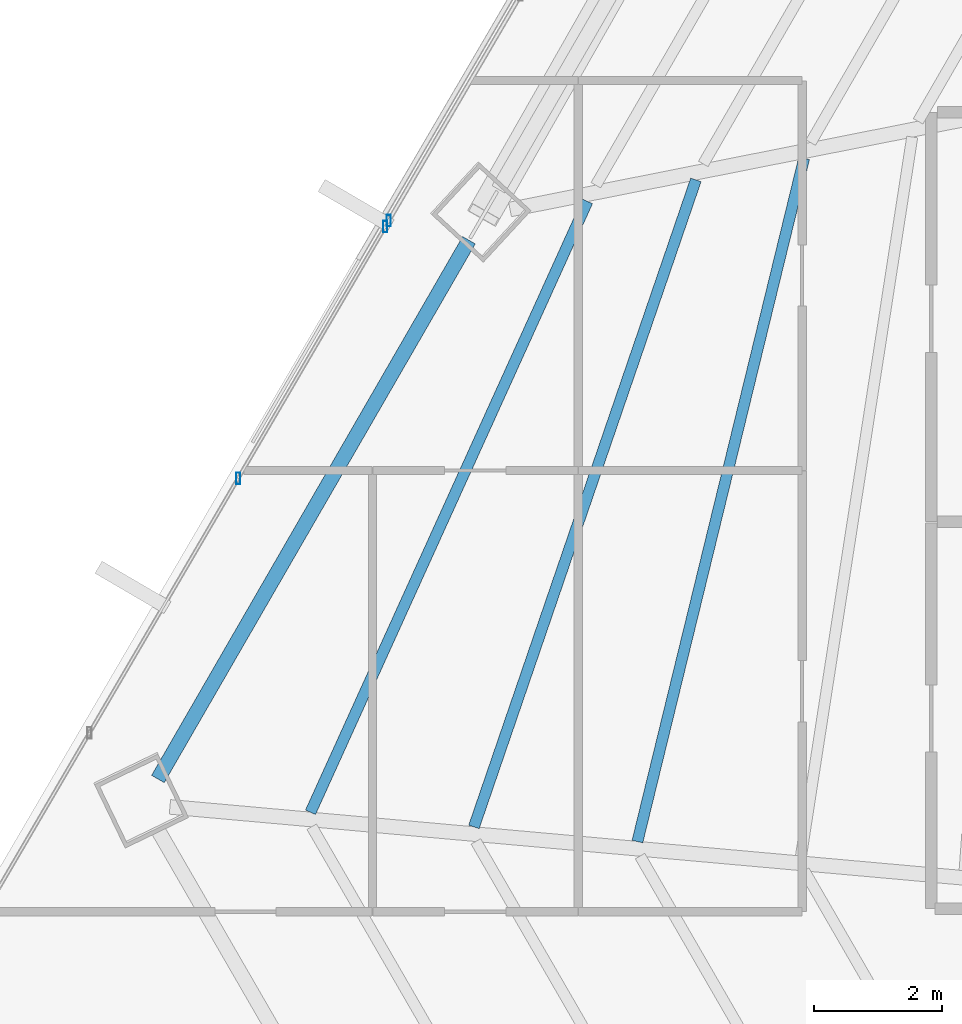
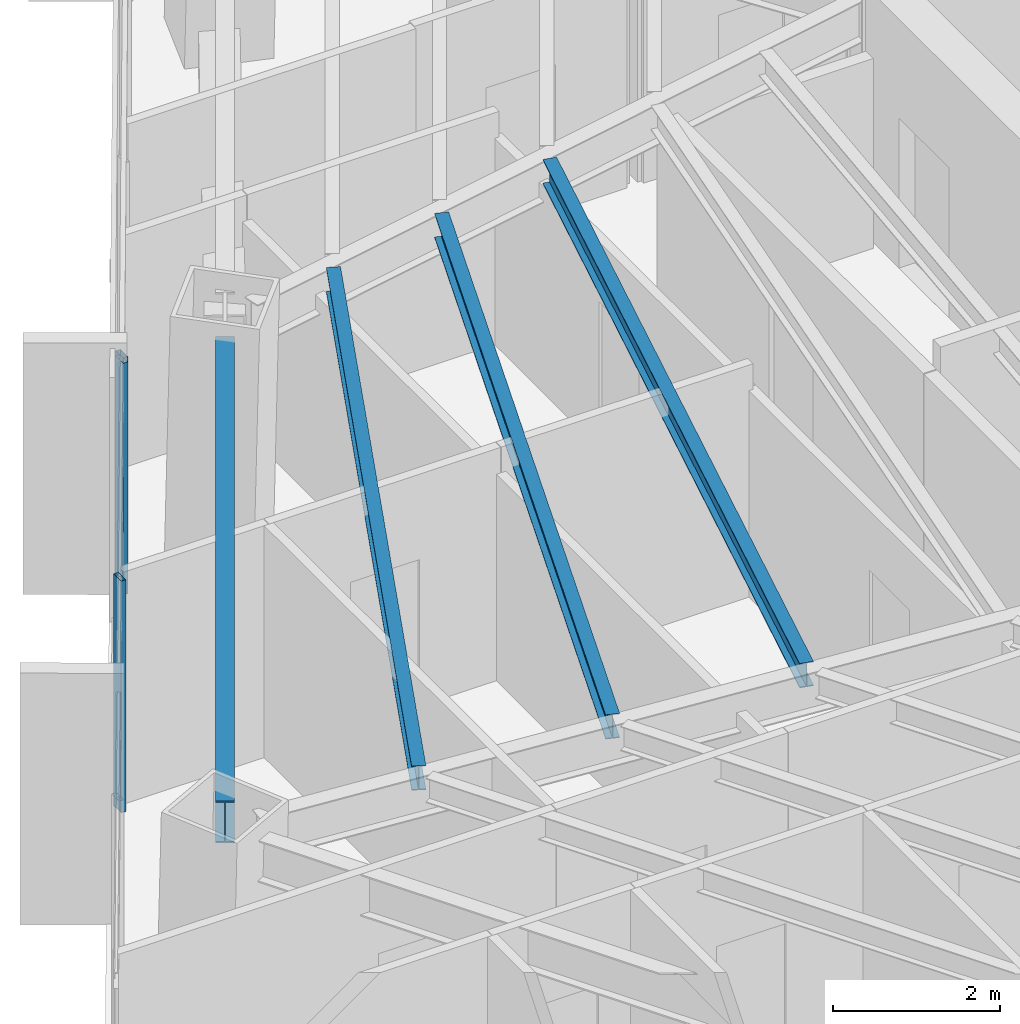
# One storey, part 10 of 35: 4 beams, 3 members, 2 elements without a shape of their own.
"""IFC4 building model written with IfcOpenShell, lengths in metres."""

from ifc_helpers import new_model, si_unit, direction, frame, origin, origin_2d, place, context, subcontext, project, spatial, hollow_rectangle, i_section, extrude, source, transform, mapped, material, material_profile, profile_set, type_object, type_shapes, element, aggregate, save


model = new_model("IFC4")

# Units and contexts
model_context = context("Model", 3, precision=1e-05, world=origin(), true_north=direction((0.0, 1.0)))
body_context = subcontext(model_context, "Body", "Model", "MODEL_VIEW")
ifc_project = project(units=[si_unit("LENGTHUNIT", "METRE"), si_unit("AREAUNIT", "SQUARE_METRE"), si_unit("VOLUMEUNIT", "CUBIC_METRE"), si_unit("PLANEANGLEUNIT", "RADIAN"), si_unit("MASSUNIT", "GRAM", prefix="KILO")], contexts=[model_context])

# Site, building, storey
site_placement = place(None, origin())
site = spatial("IfcSite", under=ifc_project, at=site_placement, CompositionType="ELEMENT")
building_placement = place(site_placement, origin())
building = spatial("IfcBuilding", under=site, at=building_placement, Name="Caelisora Broadcast Tower", CompositionType="ELEMENT")
storey_placement = place(building_placement, frame((0.0, 0.0, 123.64990234375)))
storey = spatial("IfcBuildingStorey", under=building, at=storey_placement, Name="L32", CompositionType="ELEMENT", Elevation=123.64990234375)

# Beams
ifc_material_1 = material(Name="Steel Grade 350 (AS/NZS 3679.1)", Category="steel")
ifc_material_profile_1 = material_profile(ifc_material_1, i_section(OverallWidth=0.22900390625, OverallDepth=0.611572265625, WebThickness=0.011962890625, FlangeThickness=0.01953125, at=origin_2d()), Name="Steel Grade 350 (AS/NZS 3679.1)")
ifc_profile_set_1 = profile_set([ifc_material_profile_1], Name="Steel Grade 350 (AS/NZS 3679.1)")
beam_type_1 = type_object("IfcBeamType", Name="PG03", PredefinedType="BEAM", material=ifc_profile_set_1)
shared_shape_1 = source(origin(), body_context, "Body", "SweptSolid", [
    extrude(i_section(OverallWidth=0.22900390625, OverallDepth=0.611572265625, WebThickness=0.011962890625, FlangeThickness=0.01953125, at=origin_2d()), origin(), (0.0, 0.0, 1.0), 9.72998046875),
])
type_shapes(beam_type_1, [shared_shape_1])
beam_1_placement = place(storey_placement, frame((20.18994140625, 27.6025390625, 3.09423828125), z_axis=(-0.499995398093, -0.86602806068, 0.0), x_axis=(0.86602806068, -0.499995398093, 0.0)))
element("IfcBeam", 1, at=beam_1_placement, inside=storey, type_object=beam_type_1, Name="L32 beam PG03", PredefinedType="BEAM", context=body_context, shape_type="MappedRepresentation", body=[
    mapped(shared_shape_1, transform((0.0, 0.0, 0.0), scale=1.0)),
])
ifc_material_profile_2 = material_profile(ifc_material_1, i_section(OverallWidth=0.172119140625, OverallDepth=0.358642578125, WebThickness=0.008056640625, FlangeThickness=0.012939453125, at=origin_2d()), Name="Steel Grade 350 (AS/NZS 3679.1)")
ifc_profile_set_2 = profile_set([ifc_material_profile_2], Name="Steel Grade 350 (AS/NZS 3679.1)")
beam_type_2 = type_object("IfcBeamType", Name="SB02", PredefinedType="JOIST", material=ifc_profile_set_2)
shared_shape_2 = source(origin(), body_context, "Body", "SweptSolid", [
    extrude(i_section(OverallWidth=0.172119140625, OverallDepth=0.358642578125, WebThickness=0.008056640625, FlangeThickness=0.012939453125, at=origin_2d()), origin(), (0.0, 0.0, 1.0), 10.996826171875),
])
beam_2_placement = place(storey_placement, frame((25.430908203125, 28.88134765625, 3.220703125), z_axis=(-0.237041530865, -0.971499517573, 0.0), x_axis=(0.971499517573, -0.237041530865, 0.0)))
element("IfcBeam", 2, at=beam_2_placement, inside=storey, type_object=beam_type_2, Name="L32 beam SB02", PredefinedType="JOIST", context=body_context, shape_type="MappedRepresentation", body=[
    mapped(shared_shape_2, transform((0.0, 0.0, 0.0), scale=1.0)),
])
shared_shape_3 = source(origin(), body_context, "Body", "SweptSolid", [
    extrude(i_section(OverallWidth=0.172119140625, OverallDepth=0.358642578125, WebThickness=0.008056640625, FlangeThickness=0.012939453125, at=origin_2d()), origin(), (0.0, 0.0, 1.0), 10.697509765625),
])
beam_3_placement = place(storey_placement, frame((23.73828125, 28.54541015625, 3.220703125), z_axis=(-0.324486525793, -0.945890318472, 0.0), x_axis=(0.945890318472, -0.324486525793, 0.0)))
element("IfcBeam", 3, at=beam_3_placement, inside=storey, type_object=beam_type_2, Name="L32 beam SB02", PredefinedType="JOIST", context=body_context, shape_type="MappedRepresentation", body=[
    mapped(shared_shape_3, transform((0.0, 0.0, 0.0), scale=1.0)),
])
shared_shape_4 = source(origin(), body_context, "Body", "SweptSolid", [
    extrude(i_section(OverallWidth=0.172119140625, OverallDepth=0.358642578125, WebThickness=0.008056640625, FlangeThickness=0.012939453125, at=origin_2d()), origin(), (0.0, 0.0, 1.0), 10.489990234375),
])
type_shapes(beam_type_2, [shared_shape_2, shared_shape_3, shared_shape_4])
beam_4_placement = place(storey_placement, frame((22.043212890625, 28.209228515625, 3.220703125), z_axis=(-0.412968106219, -0.910745487634, 0.0), x_axis=(0.910745487634, -0.412968106219, 0.0)))
element("IfcBeam", 4, at=beam_4_placement, inside=storey, type_object=beam_type_2, Name="L32 beam SB02", PredefinedType="JOIST", context=body_context, shape_type="MappedRepresentation", body=[
    mapped(shared_shape_4, transform((0.0, 0.0, 0.0), scale=1.0)),
])

# Curtain wall, members
ifc_material_2 = material(Name="Unitised Aluminium and Low-E Glass Curtain Wall", Category="glass")
curtain_wall_type_1 = type_object("IfcCurtainWallType", Name="CW-Z2", PredefinedType="NOTDEFINED", material=ifc_material_2)
curtain_wall_1_placement = place(storey_placement, origin())
curtain_wall_1 = element("IfcCurtainWall", 5, at=curtain_wall_1_placement, inside=storey, type_object=curtain_wall_type_1, Name="L32 curtain wall CW-Z2", PredefinedType="NOTDEFINED")
ifc_material_3 = material(Name="Aluminium 6063-T6 Anodised Terracotta Bronze", Category="aluminium")
ifc_material_profile_3 = material_profile(ifc_material_3, hollow_rectangle(XDim=0.06494140625, YDim=0.179931640625, WallThickness=0.00341796875, at=origin_2d()), Name="Aluminium 6063-T6 Anodised Terracotta Bronze")
ifc_profile_set_3 = profile_set([ifc_material_profile_3], Name="Aluminium 6063-T6 Anodised Terracotta Bronze")
member_type = type_object("IfcMemberType", Name="CWM-02", PredefinedType="MULLION", material=ifc_profile_set_3)
shared_shape_5 = source(origin(), body_context, "Body", "SweptSolid", [
    extrude(hollow_rectangle(XDim=0.06494140625, YDim=0.179931640625, WallThickness=0.00341796875, at=origin_2d()), origin(), (0.0, 0.0, 1.0), 3.400146484375),
])
type_shapes(member_type, [shared_shape_5])
member_1_placement = place(storey_placement, frame((16.580078125, 23.877685546875, 0.0), z_axis=(0.0, 0.0, 1.0), x_axis=(1.0, 0.0, 0.0)))
member_1 = element("IfcMember", 6, at=member_1_placement, type_object=member_type, Name="L32-CW-B09 mullion #2", PredefinedType="MULLION", context=body_context, shape_type="MappedRepresentation", body=[
    mapped(shared_shape_5, transform((0.0, 0.0, 0.0), scale=1.0)),
])
member_2_placement = place(storey_placement, frame((18.8798828125, 27.813232421875, 0.0), z_axis=(0.0, 0.0, 1.0), x_axis=(1.0, 0.0, 0.0)))
member_2 = element("IfcMember", 7, at=member_2_placement, type_object=member_type, Name="L32-CW-B09 mullion #3", PredefinedType="MULLION", context=body_context, shape_type="MappedRepresentation", body=[
    mapped(shared_shape_5, transform((0.0, 0.0, 0.0), scale=1.0)),
])
aggregate(curtain_wall_1, [member_1, member_2])

# Curtain wall, member
ifc_material_4 = material(Name="Unitised Aluminium Insulated Shadow-Box Spandrel Curtain Wall", Category="aluminium")
curtain_wall_type_2 = type_object("IfcCurtainWallType", Name="CW-SP1", PredefinedType="NOTDEFINED", material=ifc_material_4)
curtain_wall_2_placement = place(storey_placement, origin())
curtain_wall_2 = element("IfcCurtainWall", 8, at=curtain_wall_2_placement, inside=storey, type_object=curtain_wall_type_2, Name="L32 curtain wall CW-SP1", PredefinedType="NOTDEFINED")
member_3_placement = place(storey_placement, frame((18.935546875, 27.908203125, 0.0), z_axis=(0.0, 0.0, 1.0), x_axis=(1.0, 0.0, 0.0)))
member_3 = element("IfcMember", 9, at=member_3_placement, type_object=member_type, Name="L32-CW-B10 mullion #0", PredefinedType="MULLION", context=body_context, shape_type="MappedRepresentation", body=[
    mapped(shared_shape_5, transform((0.0, 0.0, 0.0), scale=1.0)),
])
aggregate(curtain_wall_2, [member_3])

save(model, "model.ifc")
